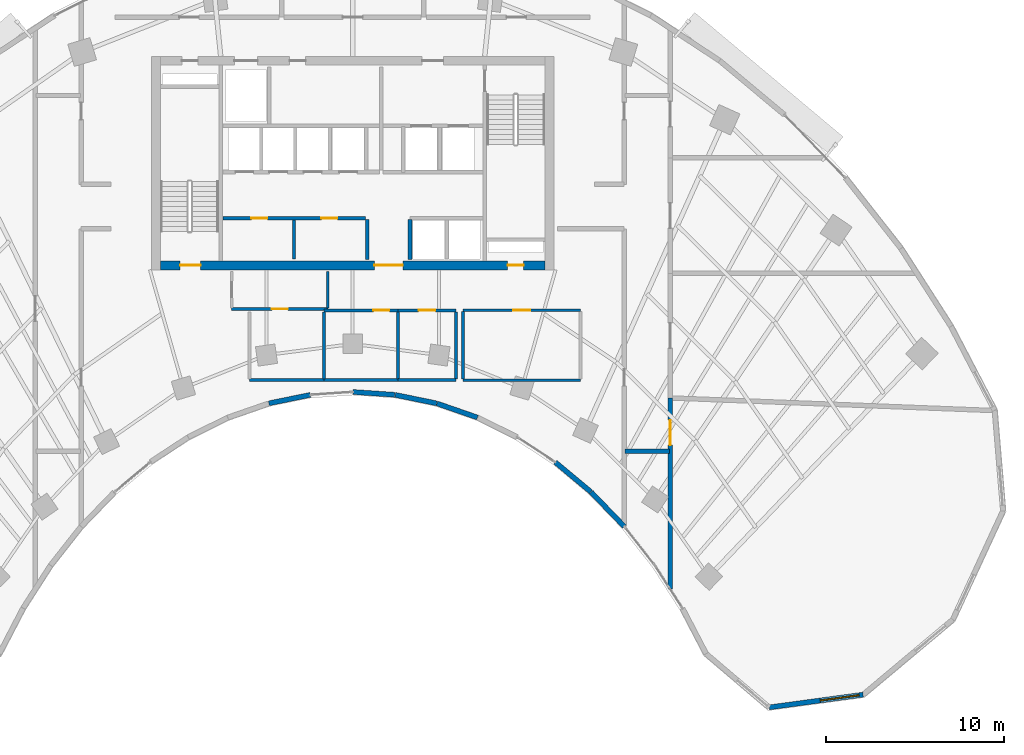
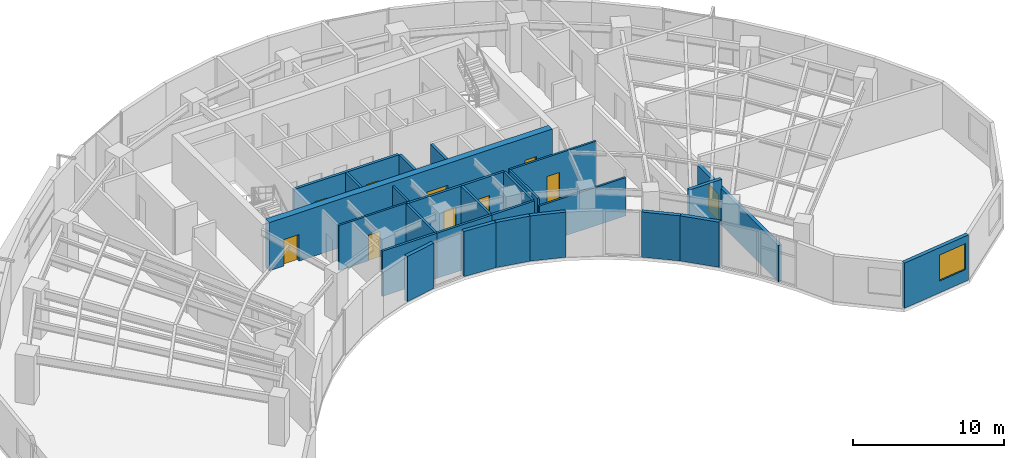
# One storey, part 9 of 14: 27 walls, 10 doors, 1 window, 11 openings.
"""IFC4 building model written with IfcOpenShell, lengths in metres."""

from ifc_helpers import new_model, si_unit, direction, frame, frame_2d, origin, place, context, subcontext, project, spatial, rectangle, extrude, source, transform, mapped, material, layer, layer_set, type_object, type_shapes, element, fill, save


model = new_model("IFC4")

# Units and contexts
model_context = context("Model", 3, precision=1e-05, world=origin(), true_north=direction((0.0, 1.0)))
body_context = subcontext(model_context, "Body", "Model", "MODEL_VIEW")
ifc_project = project(units=[si_unit("LENGTHUNIT", "METRE"), si_unit("AREAUNIT", "SQUARE_METRE"), si_unit("VOLUMEUNIT", "CUBIC_METRE"), si_unit("PLANEANGLEUNIT", "RADIAN"), si_unit("MASSUNIT", "GRAM", prefix="KILO")], contexts=[model_context])

# Site, building, storey
site_placement = place(None, origin())
site = spatial("IfcSite", under=ifc_project, at=site_placement, CompositionType="ELEMENT")
building_placement = place(site_placement, origin())
building = spatial("IfcBuilding", under=site, at=building_placement, Name="Breltana Convention Tower", CompositionType="ELEMENT")
storey_placement = place(building_placement, frame((0.0, 0.0, 119.39990234375)))
storey = spatial("IfcBuildingStorey", under=building, at=storey_placement, Name="L28", CompositionType="ELEMENT", Elevation=119.39990234375)

# Wall, openings, doors
ifc_material_1 = material(Name="Concrete C60/75", Category="concrete")
ifc_layer_1 = layer(ifc_material_1, 0.5, Name="Concrete C60/75")
ifc_layer_set_1 = layer_set([ifc_layer_1], Name="Concrete C60/75")
wall_type_1 = type_object("IfcWallType", Name="SW-CORE-500", PredefinedType="SHEAR", material=ifc_layer_set_1)
shared_shape_1 = source(origin(), body_context, "Body", "SweptSolid", [
    extrude(rectangle(XDim=21.60009765625, YDim=0.5, at=frame_2d((10.800048828125, 0.0))), origin(), (0.0, 0.0, 1.0), 3.900146484375),
])
wall_1_placement = place(storey_placement, frame((37.199951171875, 60.449951171875, 0.0), z_axis=(0.0, 0.0, 1.0), x_axis=(1.0, 0.0, 0.0)))
wall_1 = element("IfcWall", 1, at=wall_1_placement, inside=storey, type_object=wall_type_1, Name="L28 South Core Shear Wall", PredefinedType="SHEAR", context=body_context, shape_type="MappedRepresentation", body=[
    mapped(shared_shape_1, transform((0.0, 0.0, 0.0), scale=1.0)),
])
opening_1_placement = place(wall_1_placement, frame((1.10009765625, 0.0, 0.0)))
opening_1 = element("IfcOpeningElement", 2, at=opening_1_placement, cuts=wall_1, Name="Opening D-11", PredefinedType="OPENING", context=body_context, shape_type="SweptSolid", body=[
    extrude(rectangle(XDim=1.14990234375, YDim=2.14990234375, at=frame_2d((0.574951171875, 1.074951171875))), frame((0.0, 0.260009765625, 0.0), z_axis=(0.0, -1.0, 0.0), x_axis=(1.0, 0.0, 0.0)), (0.0, 0.0, 1.0), 0.52001953125),
])
opening_2_placement = place(wall_1_placement, frame((19.5, 0.0, 0.0)))
opening_2 = element("IfcOpeningElement", 3, at=opening_2_placement, cuts=wall_1, Name="Opening D-18", PredefinedType="OPENING", context=body_context, shape_type="SweptSolid", body=[
    extrude(rectangle(XDim=0.89990234375, YDim=2.10009765625, at=frame_2d((0.449951171875, 1.050048828125))), frame((0.0, 0.260009765625, 0.0), z_axis=(0.0, -1.0, 0.0), x_axis=(1.0, 0.0, 0.0)), (0.0, 0.0, 1.0), 0.52001953125),
])
opening_3_placement = place(wall_1_placement, frame((12.02001953125, 0.0, 0.0)))
opening_3 = element("IfcOpeningElement", 4, at=opening_3_placement, cuts=wall_1, Name="Opening D-02", PredefinedType="OPENING", context=body_context, shape_type="SweptSolid", body=[
    extrude(rectangle(XDim=1.60009765625, YDim=2.14990234375, at=frame_2d((0.800048828125, 1.074951171875))), frame((0.0, 0.260009765625, 0.0), z_axis=(0.0, -1.0, 0.0), x_axis=(1.0, 0.0, 0.0)), (0.0, 0.0, 1.0), 0.52001953125),
])
ifc_material_2 = material(Name="Steel Stair Exit Door", Category="steel")
door_type_1 = type_object("IfcDoorType", Name="DR-FD120-1150", OperationType="NOTDEFINED", PredefinedType="DOOR", material=ifc_material_2)
shared_shape_2 = source(origin(), body_context, "Body", "SweptSolid", [
    extrude(rectangle(XDim=1.14990234375, YDim=2.14990234375, at=frame_2d((0.574951171875, 1.074951171875))), frame((0.0, 0.02490234375, 0.0), z_axis=(0.0, -1.0, 0.0), x_axis=(1.0, 0.0, 0.0)), (0.0, 0.0, 1.0), 0.050048828125),
])
type_shapes(door_type_1, [shared_shape_2])
door_1_placement = place(opening_1_placement, origin())
door_1 = element("IfcDoor", 5, at=door_1_placement, inside=storey, type_object=door_type_1, Name="L28 interior door D-L28-ST1", OperationType="SINGLE_SWING_LEFT", OverallHeight=2.14990234375, OverallWidth=1.14990234375, PredefinedType="DOOR", context=body_context, shape_type="MappedRepresentation", body=[
    mapped(shared_shape_2, transform((0.0, 0.0, 0.0), scale=1.0)),
])
fill(opening_1, door_1)
ifc_material_3 = material(Name="Steel Riser Fire Door", Category="steel")
door_type_2 = type_object("IfcDoorType", Name="DR-FD60-900", OperationType="NOTDEFINED", PredefinedType="DOOR", material=ifc_material_3)
shared_shape_3 = source(origin(), body_context, "Body", "SweptSolid", [
    extrude(rectangle(XDim=0.89990234375, YDim=2.10009765625, at=frame_2d((0.449951171875, 1.050048828125))), frame((0.0, 0.02490234375, 0.0), z_axis=(0.0, -1.0, 0.0), x_axis=(1.0, 0.0, 0.0)), (0.0, 0.0, 1.0), 0.050048828125),
])
type_shapes(door_type_2, [shared_shape_3])
door_2_placement = place(opening_2_placement, origin())
door_2 = element("IfcDoor", 6, at=door_2_placement, inside=storey, type_object=door_type_2, Name="L28 Core Riser Access Door D-L28-RS2", OperationType="SINGLE_SWING_RIGHT", OverallHeight=2.10009765625, OverallWidth=0.89990234375, PredefinedType="DOOR", context=body_context, shape_type="MappedRepresentation", body=[
    mapped(shared_shape_3, transform((0.0, 0.0, 0.0), scale=1.0)),
])
fill(opening_2, door_2)
ifc_material_4 = material(Name="Steel Glazed Smoke-Control Door", Category="steel")
door_type_3 = type_object("IfcDoorType", Name="DR-DBL-FD90-1600", OperationType="DOUBLE_DOOR_SINGLE_SWING", PredefinedType="DOOR", material=ifc_material_4)
shared_shape_4 = source(origin(), body_context, "Body", "SweptSolid", [
    extrude(rectangle(XDim=1.60009765625, YDim=2.14990234375, at=frame_2d((0.800048828125, 1.074951171875))), frame((0.0, 0.02490234375, 0.0), z_axis=(0.0, -1.0, 0.0), x_axis=(1.0, 0.0, 0.0)), (0.0, 0.0, 1.0), 0.050048828125),
])
type_shapes(door_type_3, [shared_shape_4])
door_3_placement = place(opening_3_placement, origin())
door_3 = element("IfcDoor", 7, at=door_3_placement, inside=storey, type_object=door_type_3, Name="L28 interior door D-L28-LLB-S", OperationType="DOUBLE_DOOR_SINGLE_SWING", OverallHeight=2.14990234375, OverallWidth=1.60009765625, PredefinedType="DOOR", context=body_context, shape_type="MappedRepresentation", body=[
    mapped(shared_shape_4, transform((0.0, 0.0, 0.0), scale=1.0)),
])
fill(opening_3, door_3)

# Wall, opening, window
ifc_material_5 = material(Name="Limestone Buff Insulated Wall", Category="masonry")
ifc_layer_2 = layer(ifc_material_5, 0.280029296875, Name="Limestone Buff Insulated Wall")
ifc_layer_set_2 = layer_set([ifc_layer_2], Name="Limestone Buff Insulated Wall")
wall_type_2 = type_object("IfcWallType", Name="WL-EXT-NOSE-280", PredefinedType="SOLIDWALL", material=ifc_layer_set_2)
shared_shape_5 = source(origin(), body_context, "Body", "SweptSolid", [
    extrude(rectangle(XDim=5.32373046875, YDim=0.280029296875, at=frame_2d((2.661865234375, 0.0))), origin(), (0.0, 0.0, 1.0), 3.650146484375),
])
wall_2_placement = place(storey_placement, frame((76.685791015625, 36.321533203125, 0.0), z_axis=(0.0, 0.0, 1.0), x_axis=(-0.990931467223, -0.134368252451, 0.0)))
wall_2 = element("IfcWall", 8, at=wall_2_placement, inside=storey, type_object=wall_type_2, Name="L28 curved limestone nose wall E4", PredefinedType="SOLIDWALL", context=body_context, shape_type="MappedRepresentation", body=[
    mapped(shared_shape_5, transform((0.0, 0.0, 0.0), scale=1.0)),
])
opening_4_placement = place(wall_2_placement, frame((0.23095703125, 0.0, 0.949951171875)))
opening_4 = element("IfcOpeningElement", 9, at=opening_4_placement, cuts=wall_2, Name="Opening W-03", PredefinedType="OPENING", context=body_context, shape_type="SweptSolid", body=[
    extrude(rectangle(XDim=2.199951171875, YDim=2.10009765625, at=frame_2d((1.10009765625, 1.050048828125))), frame((0.0, 0.14990234375, 0.0), z_axis=(0.0, -1.0, 0.0), x_axis=(1.0, 0.0, 0.0)), (0.0, 0.0, 1.0), 0.300048828125),
])
ifc_material_6 = material(Name="Glass Low-E Insulated Window", Category="glass")
window_type = type_object("IfcWindowType", Name="WN-NOSE-2200X2100", PartitioningType="TRIPLE_PANEL_VERTICAL", PredefinedType="WINDOW", material=ifc_material_6)
shared_shape_6 = source(origin(), body_context, "Body", "SweptSolid", [
    extrude(rectangle(XDim=2.199951171875, YDim=2.10009765625, at=frame_2d((1.10009765625, 1.050048828125))), frame((0.0, 0.030029296875, 0.0), z_axis=(0.0, -1.0, 0.0), x_axis=(1.0, 0.0, 0.0)), (0.0, 0.0, 1.0), 0.06005859375),
])
type_shapes(window_type, [shared_shape_6])
window_placement = place(opening_4_placement, origin())
window = element("IfcWindow", 10, at=window_placement, inside=storey, type_object=window_type, Name="L28 nose window E4", OverallHeight=2.10009765625, OverallWidth=2.199951171875, PartitioningType="TRIPLE_PANEL_VERTICAL", PredefinedType="WINDOW", context=body_context, shape_type="MappedRepresentation", body=[
    mapped(shared_shape_6, transform((0.0, 0.0, 0.0), scale=1.0)),
])
fill(opening_4, window)

# Walls
shared_shape_7 = source(origin(), body_context, "Body", "SweptSolid", [
    extrude(rectangle(XDim=2.679931640625, YDim=0.280029296875, at=frame_2d((1.33984375, 0.0))), origin(), (0.0, 0.0, 1.0), 3.650146484375),
])
wall_3_placement = place(storey_placement, frame((63.260009765625, 45.780029296875, 0.0), z_axis=(0.0, 0.0, 1.0), x_axis=(-0.694561996568, 0.719432855049, 0.0)))
element("IfcWall", 11, at=wall_3_placement, inside=storey, type_object=wall_type_2, Name="L28 curved limestone nose wall E7", PredefinedType="SOLIDWALL", context=body_context, shape_type="MappedRepresentation", body=[
    mapped(shared_shape_7, transform((0.0, 0.0, 0.0), scale=1.0)),
])
shared_shape_8 = source(origin(), body_context, "Body", "SweptSolid", [
    extrude(rectangle(XDim=2.600830078125, YDim=0.280029296875, at=frame_2d((1.30029296875, 0.0))), origin(), (0.0, 0.0, 1.0), 3.650146484375),
])
wall_4_placement = place(storey_placement, frame((61.384521484375, 47.72119140625, 0.0), z_axis=(0.0, 0.0, 1.0), x_axis=(-0.76796730295, 0.640489048775, 0.0)))
element("IfcWall", 12, at=wall_4_placement, inside=storey, type_object=wall_type_2, Name="L28 curved limestone nose wall E8", PredefinedType="SOLIDWALL", context=body_context, shape_type="MappedRepresentation", body=[
    mapped(shared_shape_8, transform((0.0, 0.0, 0.0), scale=1.0)),
])
shared_shape_9 = source(origin(), body_context, "Body", "SweptSolid", [
    extrude(rectangle(XDim=2.41064453125, YDim=0.280029296875, at=frame_2d((1.205322265625, 0.0))), origin(), (0.0, 0.0, 1.0), 3.650146484375),
])
wall_5_placement = place(storey_placement, frame((55.01171875, 51.8994140625, 0.0), z_axis=(0.0, 0.0, 1.0), x_axis=(-0.944880068161, 0.327416640982, 0.0)))
element("IfcWall", 13, at=wall_5_placement, inside=storey, type_object=wall_type_2, Name="L28 curved limestone nose wall E10", PredefinedType="SOLIDWALL", context=body_context, shape_type="MappedRepresentation", body=[
    mapped(shared_shape_9, transform((0.0, 0.0, 0.0), scale=1.0)),
])
shared_shape_10 = source(origin(), body_context, "Body", "SweptSolid", [
    extrude(rectangle(XDim=2.373779296875, YDim=0.280029296875, at=frame_2d((1.18701171875, 0.0))), origin(), (0.0, 0.0, 1.0), 3.650146484375),
])
for number, where, z_axis, x_axis, name in (
    (14, (52.711181640625, 52.695068359375, 0.0), (0.0, 0.0, 1.0), (-0.979619827472, 0.200860632341, 0.0), "L28 curved limestone nose wall E11"),
    (15, (45.6142578125, 53.171875, 0.0), (0.0, 0.0, 1.0), (-0.979619827472, -0.200860632341, 0.0), "L28 curved limestone nose wall E13"),
):
    element("IfcWall", number, at=place(storey_placement, frame(where, z_axis=z_axis, x_axis=x_axis)), inside=storey, type_object=wall_type_2, Name=name, PredefinedType="SOLIDWALL", context=body_context, shape_type="MappedRepresentation", body=[
        mapped(shared_shape_10, transform((0.0, 0.0, 0.0), scale=1.0)),
    ])
shared_shape_11 = source(origin(), body_context, "Body", "SweptSolid", [
    extrude(rectangle(XDim=2.35498046875, YDim=0.280029296875, at=frame_2d((1.177490234375, 0.0))), origin(), (0.0, 0.0, 1.0), 3.650146484375),
])
wall_6_placement = place(storey_placement, frame((50.36181640625, 53.175048828125, 0.0), z_axis=(0.0, 0.0, 1.0), x_axis=(-0.997699017577, 0.067798748701, 0.0)))
element("IfcWall", 16, at=wall_6_placement, inside=storey, type_object=wall_type_2, Name="L28 curved limestone nose wall E12", PredefinedType="SOLIDWALL", context=body_context, shape_type="MappedRepresentation", body=[
    mapped(shared_shape_11, transform((0.0, 0.0, 0.0), scale=1.0)),
])
ifc_material_7 = material(Name="Autoclaved Aerated Concrete Block", Category="concrete")
ifc_layer_3 = layer(ifc_material_7, 0.199951171875, Name="Autoclaved Aerated Concrete Block")
ifc_layer_set_3 = layer_set([ifc_layer_3], Name="Autoclaved Aerated Concrete Block")
wall_type_3 = type_object("IfcWallType", Name="WL-SHAFT-200", PredefinedType="SOLIDWALL", material=ifc_layer_set_3)
shared_shape_12 = source(origin(), body_context, "Body", "SweptSolid", [
    extrude(rectangle(XDim=2.239990234375, YDim=0.199951171875, at=frame_2d((1.1201171875, 0.0))), origin(), (0.0, 0.0, 1.0), 3.650146484375),
])
for number, where, z_axis, x_axis, name in (
    (17, (48.820068359375, 60.780029296875, 0.0), (0.0, 0.0, 1.0), (0.0, 1.0, 0.0), "L28 interior partition W-L28-PORT-W"),
    (18, (51.219970703125, 60.780029296875, 0.0), (0.0, 0.0, 1.0), (0.0, 1.0, 0.0), "L28 interior partition W-L28-PORT-E"),
):
    element("IfcWall", number, at=place(storey_placement, frame(where, z_axis=z_axis, x_axis=x_axis)), inside=storey, type_object=wall_type_3, Name=name, PredefinedType="SOLIDWALL", context=body_context, shape_type="MappedRepresentation", body=[
        mapped(shared_shape_12, transform((0.0, 0.0, 0.0), scale=1.0)),
    ])

# Wall, openings, doors
shared_shape_13 = source(origin(), body_context, "Body", "SweptSolid", [
    extrude(rectangle(XDim=8.02001953125, YDim=0.199951171875, at=frame_2d((4.010009765625, 0.0))), origin(), (0.0, 0.0, 1.0), 3.650146484375),
])
wall_7_placement = place(storey_placement, frame((40.699951171875, 63.10009765625, 0.0), z_axis=(0.0, 0.0, 1.0), x_axis=(1.0, 0.0, 0.0)))
wall_7 = element("IfcWall", 19, at=wall_7_placement, inside=storey, type_object=wall_type_3, Name="L28 interior partition W-L28-SH-S-FRONT", PredefinedType="SOLIDWALL", context=body_context, shape_type="MappedRepresentation", body=[
    mapped(shared_shape_13, transform((0.0, 0.0, 0.0), scale=1.0)),
])
opening_5_placement = place(wall_7_placement, frame((1.60009765625, 0.0, 0.0)))
opening_5 = element("IfcOpeningElement", 20, at=opening_5_placement, cuts=wall_7, Name="Opening D-18", PredefinedType="OPENING", context=body_context, shape_type="SweptSolid", body=[
    extrude(rectangle(XDim=0.89990234375, YDim=2.10009765625, at=frame_2d((0.449951171875, 1.050048828125))), frame((0.0, 0.10986328125, 0.0), z_axis=(0.0, -1.0, 0.0), x_axis=(1.0, 0.0, 0.0)), (0.0, 0.0, 1.0), 0.219970703125),
])
opening_6_placement = place(wall_7_placement, frame((5.5400390625, 0.0, 0.0)))
opening_6 = element("IfcOpeningElement", 21, at=opening_6_placement, cuts=wall_7, Name="Opening D-18", PredefinedType="OPENING", context=body_context, shape_type="SweptSolid", body=[
    extrude(rectangle(XDim=0.89990234375, YDim=2.10009765625, at=frame_2d((0.449951171875, 1.050048828125))), frame((0.0, 0.10986328125, 0.0), z_axis=(0.0, -1.0, 0.0), x_axis=(1.0, 0.0, 0.0)), (0.0, 0.0, 1.0), 0.219970703125),
])
door_4_placement = place(opening_5_placement, origin())
door_4 = element("IfcDoor", 22, at=door_4_placement, inside=storey, type_object=door_type_2, Name="L28 interior door D-L28-LV7-B1A", OperationType="SINGLE_SWING_LEFT", OverallHeight=2.10009765625, OverallWidth=0.89990234375, PredefinedType="DOOR", context=body_context, shape_type="MappedRepresentation", body=[
    mapped(shared_shape_3, transform((0.0, 0.0, 0.0), scale=1.0)),
])
fill(opening_5, door_4)
door_5_placement = place(opening_6_placement, origin())
door_5 = element("IfcDoor", 23, at=door_5_placement, inside=storey, type_object=door_type_2, Name="L28 interior door D-L28-LV7-B1B", OperationType="SINGLE_SWING_RIGHT", OverallHeight=2.10009765625, OverallWidth=0.89990234375, PredefinedType="DOOR", context=body_context, shape_type="MappedRepresentation", body=[
    mapped(shared_shape_3, transform((0.0, 0.0, 0.0), scale=1.0)),
])
fill(opening_6, door_5)

# Walls
ifc_material_8 = material(Name="Cement Board Wet-Area Partition")
ifc_layer_4 = layer(ifc_material_8, 0.175048828125, Name="Cement Board Wet-Area Partition")
ifc_layer_set_4 = layer_set([ifc_layer_4], Name="Cement Board Wet-Area Partition")
wall_type_4 = type_object("IfcWallType", Name="WL-WET-175", PredefinedType="PARTITIONING", material=ifc_layer_set_4)
shared_shape_14 = source(origin(), body_context, "Body", "SweptSolid", [
    extrude(rectangle(XDim=4.176025390625, YDim=0.175048828125, at=frame_2d((2.087890625, 0.0))), origin(), (0.0, 0.0, 1.0), 3.650146484375),
])
for number, where, z_axis, x_axis, name in (
    (24, (42.199951171875, 54.0, 0.0), (0.0, 0.0, 1.0), (1.0, 0.0, 0.0), "L28 interior partition W-L28-WCM-S"),
    (25, (46.3759765625, 54.0, 0.0), (0.0, 0.0, 1.0), (1.0, 0.0, 0.0), "L28 interior partition W-L28-WCF-S"),
):
    element("IfcWall", number, at=place(storey_placement, frame(where, z_axis=z_axis, x_axis=x_axis)), inside=storey, type_object=wall_type_4, Name=name, PredefinedType="PARTITIONING", context=body_context, shape_type="MappedRepresentation", body=[
        mapped(shared_shape_14, transform((0.0, 0.0, 0.0), scale=1.0)),
    ])

# Wall, opening, door
ifc_material_9 = material(Name="Moisture-Resistant Gypsum Chase Wall")
ifc_layer_5 = layer(ifc_material_9, 0.179931640625, Name="Moisture-Resistant Gypsum Chase Wall")
ifc_layer_set_5 = layer_set([ifc_layer_5], Name="Moisture-Resistant Gypsum Chase Wall")
wall_type_5 = type_object("IfcWallType", Name="WL-PLUMB-180", PredefinedType="PLUMBINGWALL", material=ifc_layer_set_5)
shared_shape_15 = source(origin(), body_context, "Body", "SweptSolid", [
    extrude(rectangle(XDim=4.176025390625, YDim=0.179931640625, at=frame_2d((2.087890625, 0.0))), origin(), (0.0, 0.0, 1.0), 3.650146484375),
])
wall_8_placement = place(storey_placement, frame((46.3759765625, 57.919921875, 0.0), z_axis=(0.0, 0.0, 1.0), x_axis=(1.0, 0.0, 0.0)))
wall_8 = element("IfcWall", 26, at=wall_8_placement, inside=storey, type_object=wall_type_5, Name="L28 interior partition W-L28-WCF-N", PredefinedType="PLUMBINGWALL", context=body_context, shape_type="MappedRepresentation", body=[
    mapped(shared_shape_15, transform((0.0, 0.0, 0.0), scale=1.0)),
])
opening_7_placement = place(wall_8_placement, frame((2.7880859375, 0.0, 0.0)))
opening_7 = element("IfcOpeningElement", 27, at=opening_7_placement, cuts=wall_8, Name="Opening D-19", PredefinedType="OPENING", context=body_context, shape_type="SweptSolid", body=[
    extrude(rectangle(XDim=0.89990234375, YDim=2.080078125, at=frame_2d((0.449951171875, 1.0400390625))), frame((0.0, 0.10009765625, 0.0), z_axis=(0.0, -1.0, 0.0), x_axis=(1.0, 0.0, 0.0)), (0.0, 0.0, 1.0), 0.199951171875),
])
ifc_material_10 = material(Name="Timber Moisture-Resistant Door", Category="wood")
door_type_4 = type_object("IfcDoorType", Name="DR-WC-900", OperationType="NOTDEFINED", PredefinedType="DOOR", material=ifc_material_10)
shared_shape_16 = source(origin(), body_context, "Body", "SweptSolid", [
    extrude(rectangle(XDim=0.89990234375, YDim=2.080078125, at=frame_2d((0.449951171875, 1.0400390625))), frame((0.0, 0.02490234375, 0.0), z_axis=(0.0, -1.0, 0.0), x_axis=(1.0, 0.0, 0.0)), (0.0, 0.0, 1.0), 0.050048828125),
])
type_shapes(door_type_4, [shared_shape_16])
door_6_placement = place(opening_7_placement, origin())
door_6 = element("IfcDoor", 28, at=door_6_placement, inside=storey, type_object=door_type_4, Name="L28 interior door D-L28-WCF", OperationType="SINGLE_SWING_LEFT", OverallHeight=2.080078125, OverallWidth=0.89990234375, PredefinedType="DOOR", context=body_context, shape_type="MappedRepresentation", body=[
    mapped(shared_shape_16, transform((0.0, 0.0, 0.0), scale=1.0)),
])
fill(opening_7, door_6)

# Walls
shared_shape_17 = source(origin(), body_context, "Body", "SweptSolid", [
    extrude(rectangle(XDim=3.7626953125, YDim=0.175048828125, at=frame_2d((1.88134765625, 0.0))), origin(), (0.0, 0.0, 1.0), 3.650146484375),
])
for number, where, z_axis, x_axis, name in (
    (29, (46.3759765625, 54.07861328125, 0.0), (0.0, 0.0, 1.0), (0.0, 1.0, 0.0), "L28 interior partition W-L28-WCM-E"),
    (30, (50.552001953125, 54.07861328125, 0.0), (0.0, 0.0, 1.0), (0.0, 1.0, 0.0), "L28 interior partition W-L28-WCF-E"),
    (31, (53.800048828125, 54.07861328125, 0.0), (0.0, 0.0, 1.0), (0.0, 1.0, 0.0), "L28 interior partition W-L28-WCA-E"),
):
    element("IfcWall", number, at=place(storey_placement, frame(where, z_axis=z_axis, x_axis=x_axis)), inside=storey, type_object=wall_type_4, Name=name, PredefinedType="PARTITIONING", context=body_context, shape_type="MappedRepresentation", body=[
        mapped(shared_shape_17, transform((0.0, 0.0, 0.0), scale=1.0)),
    ])
shared_shape_18 = source(origin(), body_context, "Body", "SweptSolid", [
    extrude(rectangle(XDim=3.248046875, YDim=0.175048828125, at=frame_2d((1.6240234375, 0.0))), origin(), (0.0, 0.0, 1.0), 3.650146484375),
])
wall_9_placement = place(storey_placement, frame((50.552001953125, 54.0, 0.0), z_axis=(0.0, 0.0, 1.0), x_axis=(1.0, 0.0, 0.0)))
element("IfcWall", 32, at=wall_9_placement, inside=storey, type_object=wall_type_4, Name="L28 interior partition W-L28-WCA-S", PredefinedType="PARTITIONING", context=body_context, shape_type="MappedRepresentation", body=[
    mapped(shared_shape_18, transform((0.0, 0.0, 0.0), scale=1.0)),
])

# Wall, opening, door
shared_shape_19 = source(origin(), body_context, "Body", "SweptSolid", [
    extrude(rectangle(XDim=3.248046875, YDim=0.179931640625, at=frame_2d((1.6240234375, 0.0))), origin(), (0.0, 0.0, 1.0), 3.650146484375),
])
wall_10_placement = place(storey_placement, frame((50.552001953125, 57.919921875, 0.0), z_axis=(0.0, 0.0, 1.0), x_axis=(1.0, 0.0, 0.0)))
wall_10 = element("IfcWall", 33, at=wall_10_placement, inside=storey, type_object=wall_type_5, Name="L28 interior partition W-L28-WCA-N", PredefinedType="PLUMBINGWALL", context=body_context, shape_type="MappedRepresentation", body=[
    mapped(shared_shape_19, transform((0.0, 0.0, 0.0), scale=1.0)),
])
opening_8_placement = place(wall_10_placement, frame((1.14892578125, 0.0, 0.0)))
opening_8 = element("IfcOpeningElement", 34, at=opening_8_placement, cuts=wall_10, Name="Opening D-16", PredefinedType="OPENING", context=body_context, shape_type="SweptSolid", body=[
    extrude(rectangle(XDim=0.949951171875, YDim=2.1201171875, at=frame_2d((0.47509765625, 1.06005859375))), frame((0.0, 0.10009765625, 0.0), z_axis=(0.0, -1.0, 0.0), x_axis=(1.0, 0.0, 0.0)), (0.0, 0.0, 1.0), 0.199951171875),
])
ifc_material_11 = material(Name="Timber Laminate Accessible Door", Category="wood")
door_type_5 = type_object("IfcDoorType", Name="DR-ACC-950", OperationType="NOTDEFINED", PredefinedType="DOOR", material=ifc_material_11)
shared_shape_20 = source(origin(), body_context, "Body", "SweptSolid", [
    extrude(rectangle(XDim=0.949951171875, YDim=2.1201171875, at=frame_2d((0.47509765625, 1.06005859375))), frame((0.0, 0.02490234375, 0.0), z_axis=(0.0, -1.0, 0.0), x_axis=(1.0, 0.0, 0.0)), (0.0, 0.0, 1.0), 0.050048828125),
])
type_shapes(door_type_5, [shared_shape_20])
door_7_placement = place(opening_8_placement, origin())
door_7 = element("IfcDoor", 35, at=door_7_placement, inside=storey, type_object=door_type_5, Name="L28 interior door D-L28-WCA", OperationType="SINGLE_SWING_RIGHT", OverallHeight=2.1201171875, OverallWidth=0.949951171875, PredefinedType="DOOR", context=body_context, shape_type="MappedRepresentation", body=[
    mapped(shared_shape_20, transform((0.0, 0.0, 0.0), scale=1.0)),
])
fill(opening_8, door_7)

# Wall
ifc_material_12 = material(Name="Gypsum Acoustic Drywall Partition")
ifc_layer_6 = layer(ifc_material_12, 0.14990234375, Name="Gypsum Acoustic Drywall Partition")
ifc_layer_set_6 = layer_set([ifc_layer_6], Name="Gypsum Acoustic Drywall Partition")
wall_type_6 = type_object("IfcWallType", Name="WL-PART-150", PredefinedType="PARTITIONING", material=ifc_layer_set_6)
shared_shape_21 = source(origin(), body_context, "Body", "SweptSolid", [
    extrude(rectangle(XDim=6.60009765625, YDim=0.14990234375, at=frame_2d((3.300048828125, 0.0))), origin(), (0.0, 0.0, 1.0), 3.09521484375),
])
wall_11_placement = place(storey_placement, frame((54.199951171875, 54.0, 0.0), z_axis=(0.0, 0.0, 1.0), x_axis=(1.0, 0.0, 0.0)))
element("IfcWall", 36, at=wall_11_placement, inside=storey, type_object=wall_type_6, Name="L28 interior partition W-L28-PNT-S", PredefinedType="PARTITIONING", context=body_context, shape_type="MappedRepresentation", body=[
    mapped(shared_shape_21, transform((0.0, 0.0, 0.0), scale=1.0)),
])

# Wall, opening, door
shared_shape_22 = source(origin(), body_context, "Body", "SweptSolid", [
    extrude(rectangle(XDim=6.60009765625, YDim=0.14990234375, at=frame_2d((3.300048828125, 0.0))), origin(), (0.0, 0.0, 1.0), 3.650146484375),
])
wall_12_placement = place(storey_placement, frame((54.199951171875, 57.919921875, 0.0), z_axis=(0.0, 0.0, 1.0), x_axis=(1.0, 0.0, 0.0)))
wall_12 = element("IfcWall", 37, at=wall_12_placement, inside=storey, type_object=wall_type_6, Name="L28 interior partition W-L28-PNT-N", PredefinedType="PARTITIONING", context=body_context, shape_type="MappedRepresentation", body=[
    mapped(shared_shape_22, transform((0.0, 0.0, 0.0), scale=1.0)),
])
opening_9_placement = place(wall_12_placement, frame((2.824951171875, 0.0, 0.0)))
opening_9 = element("IfcOpeningElement", 38, at=opening_9_placement, cuts=wall_12, Name="Opening D-17", PredefinedType="OPENING", context=body_context, shape_type="SweptSolid", body=[
    extrude(rectangle(XDim=0.949951171875, YDim=2.10009765625, at=frame_2d((0.47509765625, 1.050048828125))), frame((0.0, 0.0849609375, 0.0), z_axis=(0.0, -1.0, 0.0), x_axis=(1.0, 0.0, 0.0)), (0.0, 0.0, 1.0), 0.169921875),
])
ifc_material_13 = material(Name="Timber Oak Veneer Door", Category="wood")
door_type_6 = type_object("IfcDoorType", Name="DR-INT-950", OperationType="NOTDEFINED", PredefinedType="DOOR", material=ifc_material_13)
shared_shape_23 = source(origin(), body_context, "Body", "SweptSolid", [
    extrude(rectangle(XDim=0.949951171875, YDim=2.10009765625, at=frame_2d((0.47509765625, 1.050048828125))), frame((0.0, 0.02490234375, 0.0), z_axis=(0.0, -1.0, 0.0), x_axis=(1.0, 0.0, 0.0)), (0.0, 0.0, 1.0), 0.050048828125),
])
type_shapes(door_type_6, [shared_shape_23])
door_8_placement = place(opening_9_placement, origin())
door_8 = element("IfcDoor", 39, at=door_8_placement, inside=storey, type_object=door_type_6, Name="L28 interior door D-L28-PNT", OperationType="SINGLE_SWING_LEFT", OverallHeight=2.10009765625, OverallWidth=0.949951171875, PredefinedType="DOOR", context=body_context, shape_type="MappedRepresentation", body=[
    mapped(shared_shape_23, transform((0.0, 0.0, 0.0), scale=1.0)),
])
fill(opening_9, door_8)

# Walls
shared_shape_24 = source(origin(), body_context, "Body", "SweptSolid", [
    extrude(rectangle(XDim=3.78515625, YDim=0.14990234375, at=frame_2d((1.892578125, 0.0))), origin(), (0.0, 0.0, 1.0), 3.650146484375),
])
wall_13_placement = place(storey_placement, frame((54.199951171875, 54.0673828125, 0.0), z_axis=(0.0, 0.0, 1.0), x_axis=(0.0, 1.0, 0.0)))
element("IfcWall", 40, at=wall_13_placement, inside=storey, type_object=wall_type_6, Name="L28 interior partition W-L28-PNT-W", PredefinedType="PARTITIONING", context=body_context, shape_type="MappedRepresentation", body=[
    mapped(shared_shape_24, transform((0.0, 0.0, 0.0), scale=1.0)),
])
shared_shape_25 = source(origin(), body_context, "Body", "SweptSolid", [
    extrude(rectangle(XDim=2.199951171875, YDim=0.14990234375, at=frame_2d((1.10009765625, 0.0))), origin(), (0.0, 0.0, 1.0), 3.650146484375),
])
wall_14_placement = place(storey_placement, frame((44.699951171875, 60.800048828125, 0.0), z_axis=(0.0, 0.0, 1.0), x_axis=(0.0, 1.0, 0.0)))
element("IfcWall", 41, at=wall_14_placement, inside=storey, type_object=wall_type_6, Name="L28 interior partition W-L28-LV7-B1-DIV", PredefinedType="PARTITIONING", context=body_context, shape_type="MappedRepresentation", body=[
    mapped(shared_shape_25, transform((0.0, 0.0, 0.0), scale=1.0)),
])

# Wall, opening, door
shared_shape_26 = source(origin(), body_context, "Body", "SweptSolid", [
    extrude(rectangle(XDim=5.400146484375, YDim=0.14990234375, at=frame_2d((2.7001953125, 0.0))), origin(), (0.0, 0.0, 1.0), 3.650146484375),
])
wall_15_placement = place(storey_placement, frame((41.199951171875, 58.0, 0.0), z_axis=(0.0, 0.0, 1.0), x_axis=(1.0, 0.0, 0.0)))
wall_15 = element("IfcWall", 42, at=wall_15_placement, inside=storey, type_object=wall_type_6, Name="L28 interior partition W-L28-CRSC-S", PredefinedType="PARTITIONING", context=body_context, shape_type="MappedRepresentation", body=[
    mapped(shared_shape_26, transform((0.0, 0.0, 0.0), scale=1.0)),
])
opening_10_placement = place(wall_15_placement, frame((2.25, 0.0, 0.0)))
opening_10 = element("IfcOpeningElement", 43, at=opening_10_placement, cuts=wall_15, Name="Opening D-19", PredefinedType="OPENING", context=body_context, shape_type="SweptSolid", body=[
    extrude(rectangle(XDim=0.89990234375, YDim=2.080078125, at=frame_2d((0.449951171875, 1.0400390625))), frame((0.0, 0.0849609375, 0.0), z_axis=(0.0, -1.0, 0.0), x_axis=(1.0, 0.0, 0.0)), (0.0, 0.0, 1.0), 0.169921875),
])
door_9_placement = place(opening_10_placement, origin())
door_9 = element("IfcDoor", 44, at=door_9_placement, inside=storey, type_object=door_type_4, Name="L28 interior door D-L28-WCM", OperationType="SINGLE_SWING_RIGHT", OverallHeight=2.080078125, OverallWidth=0.89990234375, PredefinedType="DOOR", context=body_context, shape_type="MappedRepresentation", body=[
    mapped(shared_shape_16, transform((0.0, 0.0, 0.0), scale=1.0)),
])
fill(opening_10, door_9)

# Walls
shared_shape_27 = source(origin(), body_context, "Body", "SweptSolid", [
    extrude(rectangle(XDim=2.03271484375, YDim=0.14990234375, at=frame_2d((1.016357421875, 0.0))), origin(), (0.0, 0.0, 1.0), 3.650146484375),
])
wall_16_placement = place(storey_placement, frame((46.60009765625, 58.0673828125, 0.0), z_axis=(0.0, 0.0, 1.0), x_axis=(0.0, 1.0, 0.0)))
element("IfcWall", 45, at=wall_16_placement, inside=storey, type_object=wall_type_6, Name="L28 interior partition W-L28-CRSC-E", PredefinedType="PARTITIONING", context=body_context, shape_type="MappedRepresentation", body=[
    mapped(shared_shape_27, transform((0.0, 0.0, 0.0), scale=1.0)),
])
ifc_material_14 = material(Name="Gypsum Acoustic Double Stud Wall")
ifc_layer_7 = layer(ifc_material_14, 0.25, Name="Gypsum Acoustic Double Stud Wall")
ifc_layer_set_7 = layer_set([ifc_layer_7], Name="Gypsum Acoustic Double Stud Wall")
wall_type_7 = type_object("IfcWallType", Name="WL-ACOUSTIC-250", PredefinedType="PARTITIONING", material=ifc_layer_set_7)
shared_shape_28 = source(origin(), body_context, "Body", "SweptSolid", [
    extrude(rectangle(XDim=2.5, YDim=0.25, at=frame_2d((1.25, 0.0))), origin(), (0.0, 0.0, 1.0), 3.650146484375),
])
wall_17_placement = place(storey_placement, frame((63.300048828125, 50.0, 0.0), z_axis=(0.0, 0.0, 1.0), x_axis=(1.0, 0.0, 0.0)))
element("IfcWall", 46, at=wall_17_placement, inside=storey, type_object=wall_type_7, Name="L28 interior partition W-L28-CORNE-S", PredefinedType="PARTITIONING", context=body_context, shape_type="MappedRepresentation", body=[
    mapped(shared_shape_28, transform((0.0, 0.0, 0.0), scale=1.0)),
])

# Wall, opening, door
shared_shape_29 = source(origin(), body_context, "Body", "SweptSolid", [
    extrude(rectangle(XDim=10.725830078125, YDim=0.25, at=frame_2d((5.36279296875, 0.0))), origin(), (0.0, 0.0, 1.0), 2.942138671875),
])
wall_18_placement = place(storey_placement, frame((65.840087890625, 42.274169921875, 0.0), z_axis=(0.0, 0.0, 1.0), x_axis=(0.0, 1.0, 0.0)))
wall_18 = element("IfcWall", 47, at=wall_18_placement, inside=storey, type_object=wall_type_7, Name="L28 interior partition W-L28-ZE1-W", PredefinedType="PARTITIONING", context=body_context, shape_type="MappedRepresentation", body=[
    mapped(shared_shape_29, transform((0.0, 0.0, 0.0), scale=1.0)),
])
opening_11_placement = place(wall_18_placement, frame((8.07568359375, 0.0, 0.0)))
opening_11 = element("IfcOpeningElement", 48, at=opening_11_placement, cuts=wall_18, Name="Opening D-05", PredefinedType="OPENING", context=body_context, shape_type="SweptSolid", body=[
    extrude(rectangle(XDim=1.39990234375, YDim=2.14990234375, at=frame_2d((0.699951171875, 1.074951171875))), frame((0.0, 0.135009765625, 0.0), z_axis=(0.0, -1.0, 0.0), x_axis=(1.0, 0.0, 0.0)), (0.0, 0.0, 1.0), 0.27001953125),
])
ifc_material_15 = material(Name="Timber Veneer Glazed Double Door", Category="wood")
door_type_7 = type_object("IfcDoorType", Name="DR-DBL-1400", OperationType="DOUBLE_DOOR_SINGLE_SWING", PredefinedType="DOOR", material=ifc_material_15)
shared_shape_30 = source(origin(), body_context, "Body", "SweptSolid", [
    extrude(rectangle(XDim=1.39990234375, YDim=2.14990234375, at=frame_2d((0.699951171875, 1.074951171875))), frame((0.0, 0.02490234375, 0.0), z_axis=(0.0, -1.0, 0.0), x_axis=(1.0, 0.0, 0.0)), (0.0, 0.0, 1.0), 0.050048828125),
])
type_shapes(door_type_7, [shared_shape_30])
door_10_placement = place(opening_11_placement, origin())
door_10 = element("IfcDoor", 49, at=door_10_placement, inside=storey, type_object=door_type_7, Name="L28 interior door D-L28-ZE1", OperationType="SINGLE_SWING_LEFT", OverallHeight=2.14990234375, OverallWidth=1.39990234375, PredefinedType="DOOR", context=body_context, shape_type="MappedRepresentation", body=[
    mapped(shared_shape_30, transform((0.0, 0.0, 0.0), scale=1.0)),
])
fill(opening_11, door_10)

save(model, "model.ifc")
